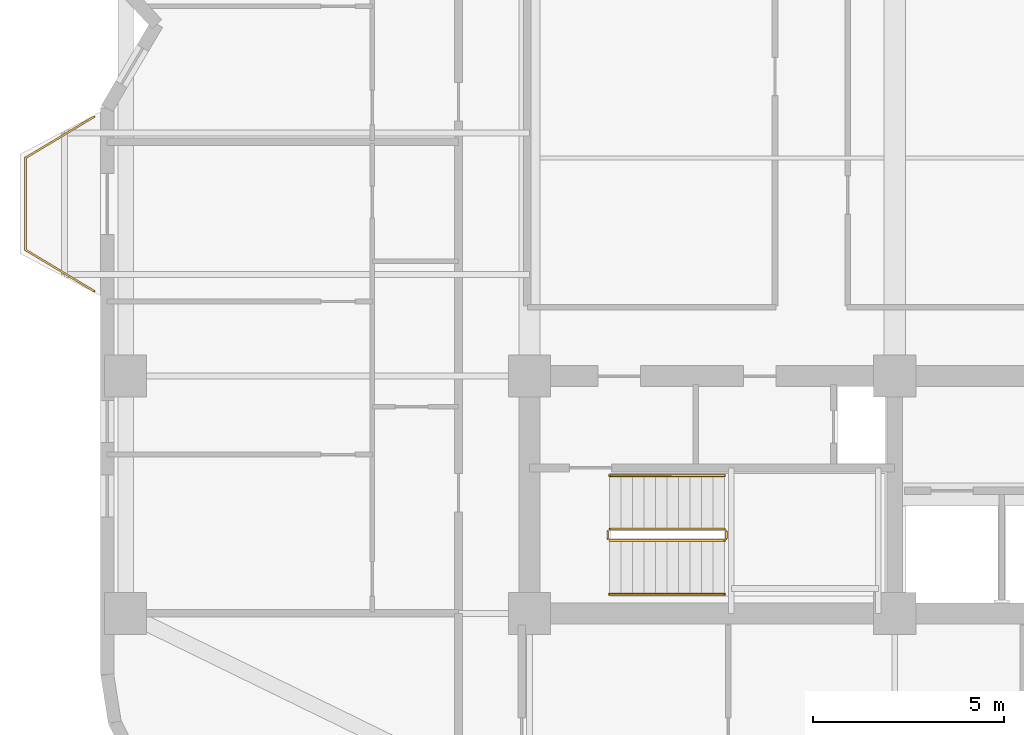
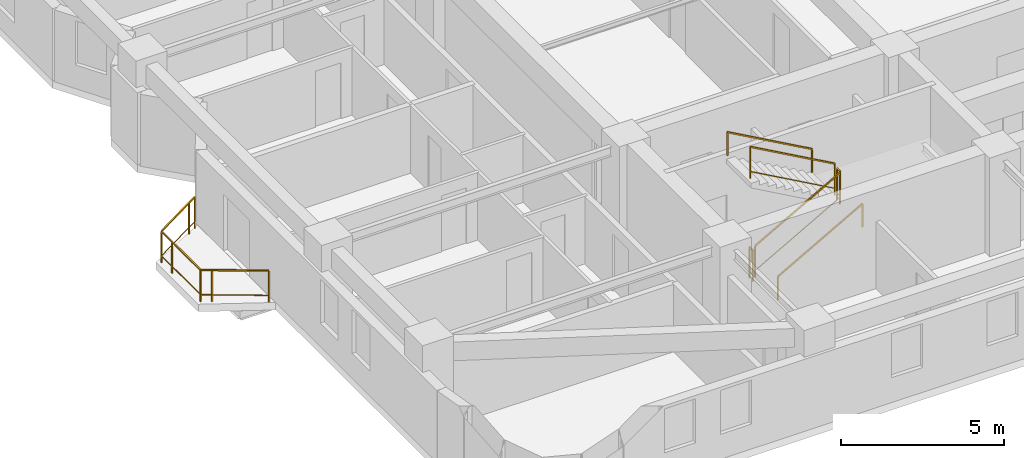
# One storey, part 9 of 10: 7 railings.
"""IFC4 building model written with IfcOpenShell, lengths in metres."""

from ifc_helpers import new_model, si_unit, direction, frame, origin, origin_2d, place, context, subcontext, project, spatial, rectangle, extrude, material, type_object, element, save


model = new_model("IFC4")

# Units and contexts
model_context = context("Model", 3, precision=1e-05, world=origin(), true_north=direction((0.0, 1.0)))
body_context = subcontext(model_context, "Body", "Model", "MODEL_VIEW")
ifc_project = project(units=[si_unit("LENGTHUNIT", "METRE"), si_unit("AREAUNIT", "SQUARE_METRE"), si_unit("VOLUMEUNIT", "CUBIC_METRE"), si_unit("PLANEANGLEUNIT", "RADIAN"), si_unit("MASSUNIT", "GRAM", prefix="KILO")], contexts=[model_context])

# Site, building, storey
site_placement = place(None, origin())
site = spatial("IfcSite", under=ifc_project, at=site_placement, CompositionType="ELEMENT")
building_placement = place(site_placement, origin())
building = spatial("IfcBuilding", under=site, at=building_placement, Name="Svetorya Sky Lyceum", CompositionType="ELEMENT")
storey_placement = place(building_placement, frame((0.0, 0.0, 114.199951171875)))
storey = spatial("IfcBuildingStorey", under=building, at=storey_placement, Name="L28", CompositionType="ELEMENT", Elevation=114.199951171875)

# Railings
ifc_material_1 = material(Name="Laminated safety glass and stainless AISI 316", Category="glass")
railing_type_1 = type_object("IfcRailingType", Name="RL-BAL-1200", PredefinedType="BALUSTRADE", material=ifc_material_1)
railing_1_placement = place(storey_placement, frame((14.22998046875, 19.02001953125, 0.0)))
element("IfcRailing", 1, at=railing_1_placement, inside=storey, type_object=railing_type_1, Name="L28 Balcony Balustrade BAL-W1", PredefinedType="BALUSTRADE", context=body_context, shape_type="SweptSolid", body=[
    extrude(rectangle(XDim=0.048095703125, YDim=0.048095703125, at=origin_2d()), frame((0.0, 0.0, 1.17578125), z_axis=(-0.857482663744, 0.514512858321, 0.0), x_axis=(-0.514512858321, -0.857482663744, 0.0)), (0.0, 0.0, 1.0), 2.09912109375),
    extrude(rectangle(XDim=0.02392578125, YDim=0.02392578125, at=origin_2d()), frame((0.0, 0.0, 0.25), z_axis=(-0.857482663744, 0.514512858321, 0.0), x_axis=(-0.514512858321, -0.857482663744, 0.0)), (0.0, 0.0, 1.0), 2.09912109375),
    extrude(rectangle(XDim=0.048095703125, YDim=0.048095703125, at=origin_2d()), frame((-1.800048828125, 1.080078125, 1.17578125), z_axis=(0.0, 1.0, 0.0), x_axis=(-1.0, 0.0, 0.0)), (0.0, 0.0, 1.0), 2.39990234375),
    extrude(rectangle(XDim=0.02392578125, YDim=0.02392578125, at=origin_2d()), frame((-1.800048828125, 1.080078125, 0.25), z_axis=(0.0, 1.0, 0.0), x_axis=(-1.0, 0.0, 0.0)), (0.0, 0.0, 1.0), 2.39990234375),
    extrude(rectangle(XDim=0.048095703125, YDim=0.048095703125, at=origin_2d()), frame((-1.800048828125, 3.47998046875, 1.17578125), z_axis=(0.857482663744, 0.514512858321, 0.0), x_axis=(-0.514512858321, 0.857482663744, 0.0)), (0.0, 0.0, 1.0), 2.09912109375),
    extrude(rectangle(XDim=0.02392578125, YDim=0.02392578125, at=origin_2d()), frame((-1.800048828125, 3.47998046875, 0.25), z_axis=(0.857482663744, 0.514512858321, 0.0), x_axis=(-0.514512858321, 0.857482663744, 0.0)), (0.0, 0.0, 1.0), 2.09912109375),
    extrude(rectangle(XDim=0.0419921875, YDim=0.0419921875, at=origin_2d()), origin(), (0.0, 0.0, 1.0), 1.15185546875),
    extrude(rectangle(XDim=0.0419921875, YDim=0.0419921875, at=origin_2d()), frame((-1.50048828125, 0.900390625, 0.0)), (0.0, 0.0, 1.0), 1.15185546875),
    extrude(rectangle(XDim=0.0419921875, YDim=0.0419921875, at=origin_2d()), frame((-1.800048828125, 1.080078125, 0.0)), (0.0, 0.0, 1.0), 1.15185546875),
    extrude(rectangle(XDim=0.0419921875, YDim=0.0419921875, at=origin_2d()), frame((-1.800048828125, 2.830078125, 0.0)), (0.0, 0.0, 1.0), 1.15185546875),
    extrude(rectangle(XDim=0.0419921875, YDim=0.0419921875, at=origin_2d()), frame((-1.800048828125, 3.47998046875, 0.0)), (0.0, 0.0, 1.0), 1.15185546875),
    extrude(rectangle(XDim=0.0419921875, YDim=0.0419921875, at=origin_2d()), frame((-0.299560546875, 4.38037109375, 0.0)), (0.0, 0.0, 1.0), 1.15185546875),
    extrude(rectangle(XDim=0.0419921875, YDim=0.0419921875, at=origin_2d()), frame((0.0, 4.56005859375, 0.0)), (0.0, 0.0, 1.0), 1.15185546875),
])
ifc_material_2 = material(Name="Painted galvanized stair well guard")
railing_type_2 = type_object("IfcRailingType", Name="RL-STR-GUARD-1200", PredefinedType="GUARDRAIL", material=ifc_material_2)
railing_2_placement = place(storey_placement, frame((27.699951171875, 12.5, 0.168212890625)))
element("IfcRailing", 2, at=railing_2_placement, inside=storey, type_object=railing_type_2, Name="L28 ST-S stair guard 1", PredefinedType="GUARDRAIL", context=body_context, shape_type="SweptSolid", body=[
    extrude(rectangle(XDim=0.048095703125, YDim=0.048095703125, at=origin_2d()), frame((0.0, 0.0, 1.17578125), z_axis=(0.872272294576, 0.0, 0.489020494575), x_axis=(0.0, 1.0, 0.0)), (0.0, 0.0, 1.0), 3.439208984375),
    extrude(rectangle(XDim=0.02392578125, YDim=0.02392578125, at=origin_2d()), frame((0.0, 0.0, 0.25), z_axis=(0.872272294576, 0.0, 0.489020494575), x_axis=(0.0, 1.0, 0.0)), (0.0, 0.0, 1.0), 3.439208984375),
    extrude(rectangle(XDim=0.0419921875, YDim=0.0419921875, at=origin_2d()), origin(), (0.0, 0.0, 1.0), 1.15185546875),
    extrude(rectangle(XDim=0.0419921875, YDim=0.0419921875, at=origin_2d()), frame((3.0, 0.0, 1.681884765625)), (0.0, 0.0, 1.0), 1.15185546875),
])
railing_3_placement = place(storey_placement, frame((30.75, 12.550048828125, 1.85009765625)))
element("IfcRailing", 3, at=railing_3_placement, inside=storey, type_object=railing_type_2, Name="L28 ST-S stair guard 2", PredefinedType="GUARDRAIL", context=body_context, shape_type="SweptSolid", body=[
    extrude(rectangle(XDim=0.048095703125, YDim=0.048095703125, at=origin_2d()), frame((0.0, 0.0, 1.17578125), z_axis=(0.0, 1.0, 0.0), x_axis=(-1.0, 0.0, 0.0)), (0.0, 0.0, 1.0), 0.199951171875),
    extrude(rectangle(XDim=0.02392578125, YDim=0.02392578125, at=origin_2d()), frame((0.0, 0.0, 0.25), z_axis=(0.0, 1.0, 0.0), x_axis=(-1.0, 0.0, 0.0)), (0.0, 0.0, 1.0), 0.199951171875),
    extrude(rectangle(XDim=0.0419921875, YDim=0.0419921875, at=origin_2d()), origin(), (0.0, 0.0, 1.0), 1.15185546875),
    extrude(rectangle(XDim=0.0419921875, YDim=0.0419921875, at=origin_2d()), frame((0.0, 0.199951171875, 0.0)), (0.0, 0.0, 1.0), 1.15185546875),
])
railing_4_placement = place(storey_placement, frame((30.699951171875, 12.800048828125, 2.018310546875)))
element("IfcRailing", 4, at=railing_4_placement, inside=storey, type_object=railing_type_2, Name="L28 ST-S stair guard 3", PredefinedType="GUARDRAIL", context=body_context, shape_type="SweptSolid", body=[
    extrude(rectangle(XDim=0.048095703125, YDim=0.048095703125, at=origin_2d()), frame((0.0, 0.0, 1.17578125), z_axis=(-0.872302573547, 0.0, 0.488966481656), x_axis=(0.0, -1.0, 0.0)), (0.0, 0.0, 1.0), 3.439208984375),
    extrude(rectangle(XDim=0.02392578125, YDim=0.02392578125, at=origin_2d()), frame((0.0, 0.0, 0.25), z_axis=(-0.872302573547, 0.0, 0.488966481656), x_axis=(0.0, -1.0, 0.0)), (0.0, 0.0, 1.0), 3.439208984375),
    extrude(rectangle(XDim=0.0419921875, YDim=0.0419921875, at=origin_2d()), origin(), (0.0, 0.0, 1.0), 1.15185546875),
    extrude(rectangle(XDim=0.0419921875, YDim=0.0419921875, at=origin_2d()), frame((-3.0, 0.0, 1.681640625)), (0.0, 0.0, 1.0), 1.15185546875),
])
railing_5_placement = place(storey_placement, frame((27.64990234375, 12.550048828125, 0.0)))
element("IfcRailing", 5, at=railing_5_placement, inside=storey, type_object=railing_type_2, Name="L28 ST-S stair guard 4", PredefinedType="GUARDRAIL", context=body_context, shape_type="SweptSolid", body=[
    extrude(rectangle(XDim=0.048095703125, YDim=0.048095703125, at=origin_2d()), frame((0.0, 0.0, 1.17578125), z_axis=(0.0, 1.0, 0.0), x_axis=(-1.0, 0.0, 0.0)), (0.0, 0.0, 1.0), 0.199951171875),
    extrude(rectangle(XDim=0.02392578125, YDim=0.02392578125, at=origin_2d()), frame((0.0, 0.0, 0.25), z_axis=(0.0, 1.0, 0.0), x_axis=(-1.0, 0.0, 0.0)), (0.0, 0.0, 1.0), 0.199951171875),
    extrude(rectangle(XDim=0.0419921875, YDim=0.0419921875, at=origin_2d()), origin(), (0.0, 0.0, 1.0), 1.15185546875),
    extrude(rectangle(XDim=0.0419921875, YDim=0.0419921875, at=origin_2d()), frame((0.0, 0.199951171875, 0.0)), (0.0, 0.0, 1.0), 1.15185546875),
])
ifc_material_3 = material(Name="Brushed stainless AISI 304 stair handrail")
railing_type_3 = type_object("IfcRailingType", Name="RL-STR-HAND-920", PredefinedType="HANDRAIL", material=ifc_material_3)
railing_6_placement = place(storey_placement, frame((27.699951171875, 11.10009765625, 0.168212890625)))
element("IfcRailing", 6, at=railing_6_placement, inside=storey, type_object=railing_type_3, Name="L28 ST-S stair handrail 1", PredefinedType="HANDRAIL", context=body_context, shape_type="SweptSolid", body=[
    extrude(rectangle(XDim=0.048095703125, YDim=0.048095703125, at=origin_2d()), frame((0.0, 0.0, 0.8759765625), z_axis=(0.872272294576, 0.0, 0.489020494575), x_axis=(0.0, 1.0, 0.0)), (0.0, 0.0, 1.0), 3.439208984375),
    extrude(rectangle(XDim=0.0419921875, YDim=0.0419921875, at=origin_2d()), origin(), (0.0, 0.0, 1.0), 0.851806640625),
    extrude(rectangle(XDim=0.0419921875, YDim=0.0419921875, at=origin_2d()), frame((3.0, 0.0, 1.681884765625)), (0.0, 0.0, 1.0), 0.851806640625),
])
railing_7_placement = place(storey_placement, frame((30.699951171875, 14.199951171875, 2.018310546875)))
element("IfcRailing", 7, at=railing_7_placement, inside=storey, type_object=railing_type_3, Name="L28 ST-S stair handrail 2", PredefinedType="HANDRAIL", context=body_context, shape_type="SweptSolid", body=[
    extrude(rectangle(XDim=0.048095703125, YDim=0.048095703125, at=origin_2d()), frame((0.0, 0.0, 0.8759765625), z_axis=(-0.872302573547, 0.0, 0.488966481656), x_axis=(0.0, -1.0, 0.0)), (0.0, 0.0, 1.0), 3.439208984375),
    extrude(rectangle(XDim=0.0419921875, YDim=0.0419921875, at=origin_2d()), origin(), (0.0, 0.0, 1.0), 0.851806640625),
    extrude(rectangle(XDim=0.0419921875, YDim=0.0419921875, at=origin_2d()), frame((-3.0, 0.0, 1.681640625)), (0.0, 0.0, 1.0), 0.851806640625),
])

save(model, "model.ifc")
